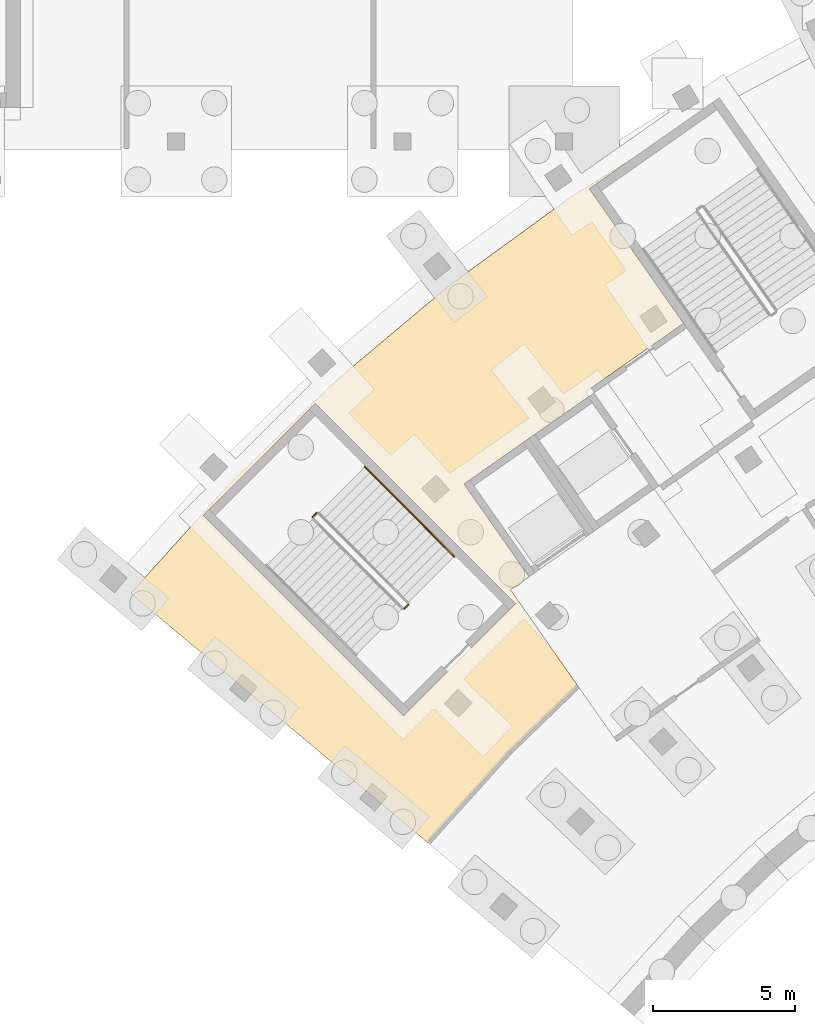
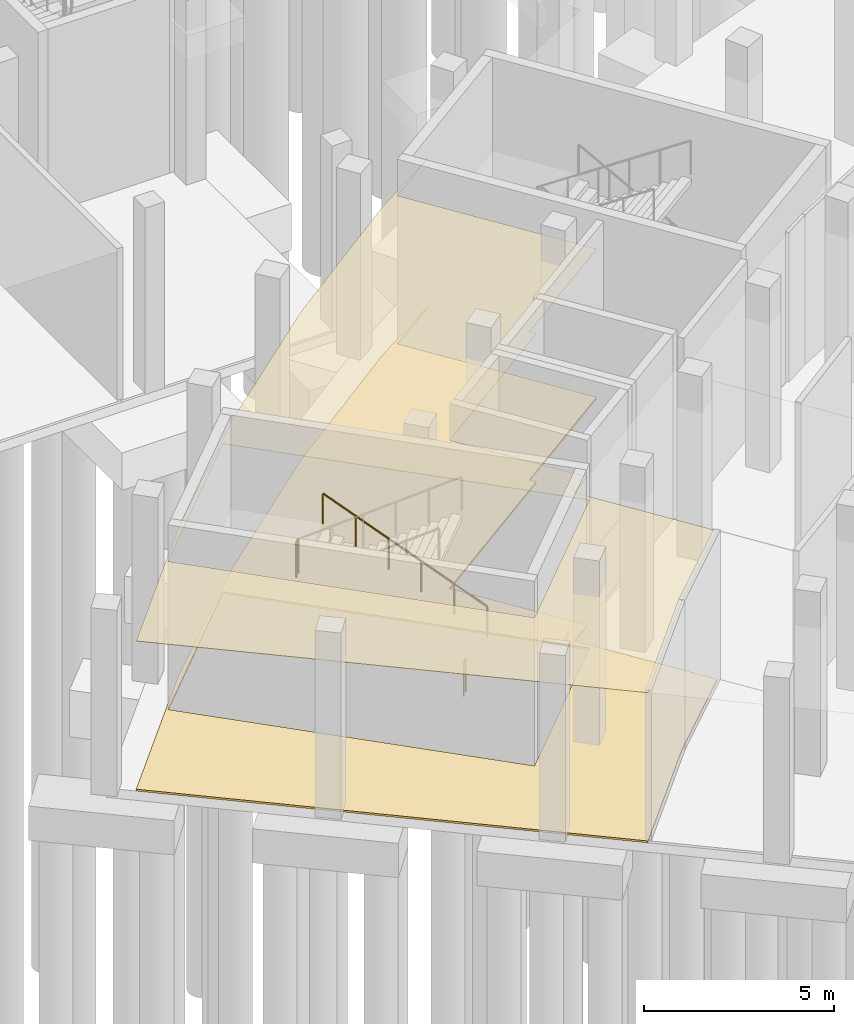
# One storey, part 36 of 66: 3 railings, 2 coverings.
"""IFC4 building model written with IfcOpenShell, lengths in metres."""

import ifcopenshell
import ifcopenshell.guid

model = None  # the IFC model being written
_history = None  # IfcOwnerHistory: only IFC2X3 demands one
_inside = {}  # id of a spatial element -> (the spatial element, [elements in it])
_under = {}  # id of a project, library or spatial element -> (it, [spatial elements below it])
_declared = {}  # id of a project -> (the project, [libraries it declares])
_typed = {}  # id of a type object -> (the type object, [elements of that type])
_made_of = {}  # id of a material, layer set ... -> (it, [elements and type objects made of it])


def new_model(schema):
    """Start an empty IFC model of exactly this schema.

    Asked for "IFC4X3", IfcOpenShell would pick the latest addendum, in which some entities
    have other attributes; the version numbers below select the first issue.
    IFC2X3 requires an IfcOwnerHistory on every rooted entity: one is made here for all.
    """
    global model, _history
    if schema == "IFC4X3":
        model = ifcopenshell.file(schema_version=(4, 3, 0, 0))
    else:
        model = ifcopenshell.file(schema=schema)
    _inside.clear()
    _under.clear()
    _declared.clear()
    _typed.clear()
    _made_of.clear()
    _history = None
    if model.schema == "IFC2X3":
        org = make("IfcOrganization", Name="unknown")
        user = make(
            "IfcPersonAndOrganization",
            ThePerson=make("IfcPerson", FamilyName="unknown"),
            TheOrganization=org,
        )
        app = make(
            "IfcApplication",
            ApplicationDeveloper=org,
            Version="unknown",
            ApplicationFullName="unknown",
            ApplicationIdentifier="unknown",
        )
        _history = make(
            "IfcOwnerHistory",
            OwningUser=user,
            OwningApplication=app,
            ChangeAction="ADDED",
            CreationDate=0,
        )
    return model


def make(cls, **values):
    """One entity of the class cls with the attributes given. An attribute that is None is left unset."""
    return model.create_entity(
        cls, **{name: value for name, value in values.items() if value is not None}
    )


def rooted(cls, **values):
    """An entity with a GlobalId (a new one), such as an element, a storey or a relation."""
    return make(cls, GlobalId=ifcopenshell.guid.new(), OwnerHistory=_history, **values)


def si_unit(unit_type, name, prefix=None):
    """IfcSIUnit, for example si_unit("LENGTHUNIT", "METRE", prefix="MILLI")."""
    return make("IfcSIUnit", UnitType=unit_type, Prefix=prefix, Name=name)


def assignment(units):
    """IfcUnitAssignment: the units of a project."""
    return None if units is None else make("IfcUnitAssignment", Units=units)


def point(xyz):
    """IfcCartesianPoint."""
    return None if xyz is None else make("IfcCartesianPoint", Coordinates=xyz)


def direction(xyz):
    """IfcDirection."""
    return None if xyz is None else make("IfcDirection", DirectionRatios=xyz)


def frame(location, z_axis=None, x_axis=None):
    """IfcAxis2Placement3D, a coordinate frame: its origin and axes. An axis left out is left unset."""
    return make(
        "IfcAxis2Placement3D",
        Location=point(location),
        Axis=direction(z_axis),
        RefDirection=direction(x_axis),
    )


def frame_2d(location, x_axis=None):
    """IfcAxis2Placement2D, a coordinate frame in the plane: its origin and x axis."""
    return make(
        "IfcAxis2Placement2D", Location=point(location), RefDirection=direction(x_axis)
    )


def origin():
    """The frame at (0, 0, 0) with its axes left unset."""
    return frame((0.0, 0.0, 0.0))


def origin_2d():
    """The frame at (0, 0) in the plane with its x axis left unset."""
    return frame_2d((0.0, 0.0))


def place(relative_to, where):
    """IfcLocalPlacement: puts the frame where relative to a parent placement (None: the world)."""
    return make(
        "IfcLocalPlacement", PlacementRelTo=relative_to, RelativePlacement=where
    )


def context(
    kind, dimensions, precision=None, world=None, true_north=None, identifier=None
):
    """IfcGeometricRepresentationContext, for example the 3D "Model" context."""
    return make(
        "IfcGeometricRepresentationContext",
        ContextIdentifier=identifier,
        ContextType=kind,
        CoordinateSpaceDimension=dimensions,
        Precision=precision,
        WorldCoordinateSystem=world,
        TrueNorth=true_north,
    )


def subcontext(parent, identifier, kind, view, scale=None):
    """IfcGeometricRepresentationSubContext, for example "Body" below "Model"."""
    return make(
        "IfcGeometricRepresentationSubContext",
        ContextIdentifier=identifier,
        ContextType=kind,
        ParentContext=parent,
        TargetScale=scale,
        TargetView=view,
    )


def project(units=None, contexts=None):
    """IfcProject with its units and contexts."""
    return rooted(
        "IfcProject",
        Name="project",
        RepresentationContexts=contexts,
        UnitsInContext=assignment(units),
    )


def spatial(cls, under=None, at=None, **own):
    """A site, building, storey or space (cls), placed at a placement, below another one or the project."""
    s = rooted(cls, ObjectPlacement=at, **own)
    if under is not None:
        _under.setdefault(under.id(), (under, []))[1].append(s)
    return s


def polyline(points):
    """IfcPolyline through the points."""
    return make("IfcPolyline", Points=[point(p) for p in points])


def profile(cls, at=None, kind="AREA", **sizes):
    """A parametric profile (cls). Its sizes go by their IFC names, for example OverallWidth=200.0."""
    return make(cls, ProfileType=kind, Position=at, **sizes)


def circle(**sizes):
    """IfcCircleProfileDef."""
    return profile("IfcCircleProfileDef", **sizes)


def outline(outer, holes=None, kind="AREA"):
    """IfcArbitraryClosedProfileDef: a profile drawn as a closed curve; with holes, ...WithVoids."""
    if holes is None:
        return make("IfcArbitraryClosedProfileDef", ProfileType=kind, OuterCurve=outer)
    return make(
        "IfcArbitraryProfileDefWithVoids",
        ProfileType=kind,
        OuterCurve=outer,
        InnerCurves=holes,
    )


def extrude(swept, where, along, depth):
    """IfcExtrudedAreaSolid: the profile swept, set in the frame where, extruded along a direction by depth."""
    return make(
        "IfcExtrudedAreaSolid",
        SweptArea=swept,
        Position=where,
        ExtrudedDirection=direction(along),
        Depth=depth,
    )


def shape(context_of_items, identifier, shape_type, items):
    """IfcShapeRepresentation: the items that make up one representation, for example the "Body"."""
    return make(
        "IfcShapeRepresentation",
        ContextOfItems=context_of_items,
        RepresentationIdentifier=identifier,
        RepresentationType=shape_type,
        Items=items,
    )


def material(Name=None, Category=None):
    """IfcMaterial."""
    return make("IfcMaterial", Name=Name, Category=Category)


def layer(
    of_material, thickness, ventilated=None, Name=None, Category=None, Priority=None
):
    """IfcMaterialLayer: one layer of a wall or slab, of a material (None: an air gap)."""
    return make(
        "IfcMaterialLayer",
        Material=of_material,
        LayerThickness=thickness,
        IsVentilated=ventilated,
        Name=Name,
        Category=Category,
        Priority=Priority,
    )


def layer_set(layers, Name=None):
    """IfcMaterialLayerSet."""
    return make("IfcMaterialLayerSet", MaterialLayers=layers, LayerSetName=Name)


def made_of(thing, what):
    """Note that an element or type object is made of a material, layer set ...; save() writes the relation."""
    if what is not None:
        _made_of.setdefault(what.id(), (what, []))[1].append(thing)
    return thing


def type_object(cls, material=None, **own):
    """A type object (cls), such as IfcWallType, which elements share."""
    return made_of(rooted(cls, **own), material)


def element(
    cls,
    number,
    at=None,
    inside=None,
    cuts=None,
    type_object=None,
    material=None,
    context=None,
    identifier="Body",
    shape_type=None,
    held_by="IfcProductDefinitionShape",
    body=None,
    shapes=None,
    **own,
):
    """One element of the class cls, such as IfcWall. Its Tag is "e" and its number.

    at: its placement. inside: the storey or other place that contains it. cuts: it is an
    opening in that element (IfcRelVoidsElement). A single representation is given by context,
    identifier, shape_type and body (its items); several are given by shapes. held_by: the class
    of the entity that holds the representations. save() writes the other relations.
    """
    e = rooted(cls, Tag="e%d" % number, ObjectPlacement=at, **own)
    if body is not None:
        shapes = [shape(context, identifier, shape_type, body)]
    if shapes is not None:
        e.Representation = make(held_by, Representations=shapes)
    if inside is not None:
        _inside.setdefault(inside.id(), (inside, []))[1].append(e)
    if cuts is not None:
        rooted(
            "IfcRelVoidsElement", RelatingBuildingElement=cuts, RelatedOpeningElement=e
        )
    if type_object is not None:
        _typed.setdefault(type_object.id(), (type_object, []))[1].append(e)
    return made_of(e, material)


def aggregate(whole, parts):
    """IfcRelAggregates: a whole, such as a stair, and the parts it consists of."""
    return rooted("IfcRelAggregates", RelatingObject=whole, RelatedObjects=parts)


def save(model, path):
    """Write the relations noted so far, then the file.

    IfcRelAggregates (storeys below a building ...), IfcRelContainedInSpatialStructure (elements
    in a storey), IfcRelDefinesByType, IfcRelAssociatesMaterial and IfcRelDeclares: one each for
    every whole, place, type object, material and project.
    """
    for whole, parts in _under.values():
        aggregate(whole, parts)
    for where, things in _inside.values():
        rooted(
            "IfcRelContainedInSpatialStructure",
            RelatedElements=things,
            RelatingStructure=where,
        )
    for kind, things in _typed.values():
        rooted("IfcRelDefinesByType", RelatedObjects=things, RelatingType=kind)
    for what, things in _made_of.values():
        rooted("IfcRelAssociatesMaterial", RelatedObjects=things, RelatingMaterial=what)
    for by, libraries in _declared.values():
        rooted("IfcRelDeclares", RelatingContext=by, RelatedDefinitions=libraries)
    model.write(path)


model = new_model("IFC4")

# Units and contexts
model_context = context("Model", 3, precision=1e-05, world=origin(), true_north=direction((0.0, 1.0)))
body_context = subcontext(model_context, "Body", "Model", "MODEL_VIEW")
ifc_project = project(units=[si_unit("LENGTHUNIT", "METRE"), si_unit("AREAUNIT", "SQUARE_METRE"), si_unit("VOLUMEUNIT", "CUBIC_METRE"), si_unit("PLANEANGLEUNIT", "RADIAN"), si_unit("MASSUNIT", "GRAM", prefix="KILO")], contexts=[model_context])

# Site, building, storey
site_placement = place(None, origin())
site = spatial("IfcSite", under=ifc_project, at=site_placement, CompositionType="ELEMENT")
building_placement = place(site_placement, origin())
building = spatial("IfcBuilding", under=site, at=building_placement, Name="Lunette Opera House", CompositionType="ELEMENT")
storey_placement = place(building_placement, frame((0.0, 0.0, -6.0)))
storey = spatial("IfcBuildingStorey", under=building, at=storey_placement, Name="B1", CompositionType="ELEMENT", Elevation=-6.0)

# Railings
ifc_material_1 = material(Name="Steel S355", Category="steel")
railing_type_1 = type_object("IfcRailingType", Name="STAIR GUARD 1100", PredefinedType="GUARDRAIL", material=ifc_material_1)
for number, where, name in (
    (1, (44.96142578125, 51.18017578125, 3.0), "B1 ST1 stair guard 2"),
    (2, (48.199951171875, 47.941650390625, 0.0), "B1 ST1 stair guard 4"),
):
    element("IfcRailing", number, at=place(storey_placement, frame(where)), inside=storey, type_object=railing_type_1, Name=name, PredefinedType="GUARDRAIL", context=body_context, shape_type="SweptSolid", body=[
        extrude(circle(Radius=0.02392578125, at=origin_2d()), frame((0.0, 0.0, 1.076171875), z_axis=(-0.707106781187, -0.707106781187, 0.0), x_axis=(0.707106781187, -0.707106781187, 0.0)), (0.0, 0.0, 1.0), 0.2001953125),
        extrude(circle(Radius=0.02099609375, at=origin_2d()), origin(), (0.0, 0.0, 1.0), 1.052001953125),
        extrude(circle(Radius=0.02099609375, at=origin_2d()), frame((-0.1416015625, -0.1416015625, 0.0)), (0.0, 0.0, 1.0), 1.052001953125),
    ])
ifc_material_2 = material(Name="Steel S355", Category="steel")
railing_type_2 = type_object("IfcRailingType", Name="STAIR HANDRAIL 1000", PredefinedType="HANDRAIL", material=ifc_material_2)
railing_placement = place(storey_placement, frame((49.826416015625, 49.638671875, 0.176513671875)))
element("IfcRailing", 3, at=railing_placement, inside=storey, type_object=railing_type_2, Name="B1 ST1 stair handrail 1", PredefinedType="HANDRAIL", context=body_context, shape_type="SweptSolid", body=[
    extrude(circle(Radius=0.02392578125, at=origin_2d()), frame((0.0, 0.0, 0.97607421875), z_axis=(-0.598218619036, 0.598218619036, 0.533168798485), x_axis=(-0.707106781187, -0.707106781187, 0.0)), (0.0, 0.0, 1.0), 5.295654296875),
    extrude(circle(Radius=0.02099609375, at=origin_2d()), origin(), (0.0, 0.0, 1.0), 0.951904296875),
    extrude(circle(Radius=0.02099609375, at=origin_2d()), frame((-0.633544921875, 0.633544921875, 0.564697265625)), (0.0, 0.0, 1.0), 0.951904296875),
    extrude(circle(Radius=0.02099609375, at=origin_2d()), frame((-1.26708984375, 1.26708984375, 1.12939453125)), (0.0, 0.0, 1.0), 0.951904296875),
    extrude(circle(Radius=0.02099609375, at=origin_2d()), frame((-1.90087890625, 1.90087890625, 1.694091796875)), (0.0, 0.0, 1.0), 0.951904296875),
    extrude(circle(Radius=0.02099609375, at=origin_2d()), frame((-2.534423828125, 2.534423828125, 2.2587890625)), (0.0, 0.0, 1.0), 0.951904296875),
    extrude(circle(Radius=0.02099609375, at=origin_2d()), frame((-3.16796875, 3.16796875, 2.823486328125)), (0.0, 0.0, 1.0), 0.951904296875),
])

# Coverings
ifc_material_3 = material(Name="Mineral fibre board")
ifc_layer_1 = layer(ifc_material_3, 0.014892578125)
ifc_layer_set_1 = layer_set([ifc_layer_1], Name="Mineral fibre board")
covering_type_1 = type_object("IfcCoveringType", Name="SUSPENDED ACOUSTIC CEILING 15", PredefinedType="CEILING", material=ifc_layer_set_1)
covering_1_placement = place(storey_placement, frame((0.0, 0.0, 4.81494140625)))
element("IfcCovering", 4, at=covering_1_placement, inside=storey, type_object=covering_type_1, Name="Ceiling Lower Foyer Rear", PredefinedType="CEILING", context=body_context, shape_type="SweptSolid", body=[
    extrude(outline(polyline([(51.80810546875, 48.468017578125), (54.18896484375, 45.06689453125), (51.760986328125, 42.720947265625), (48.887939453125, 39.531005859375), (46.972900390625, 41.137939453125), (38.39404296875, 48.337890625), (41.906005859375, 52.238037109375), (45.680908203125, 55.884033203125), (49.701904296875, 59.258056640625), (53.948974609375, 62.343994140625), (56.18603515625, 63.741943359375), (54.591064453125, 62.625), (57.91796875, 57.8740234375), (54.47705078125, 55.464111328125), (54.592041015625, 55.300048828125), (52.462890625, 53.80908203125), (50.1689453125, 52.202880859375), (52.462890625, 48.927001953125), (51.80810546875, 48.468017578125)]), holes=[polyline([(48.02294921875, 44.01708984375), (51.98291015625, 47.97705078125), (44.912109375, 55.048095703125), (40.951904296875, 51.087890625), (48.02294921875, 44.01708984375)])]), origin(), (0.0, 0.0, 1.0), 0.01513671875),
])
ifc_material_4 = material(Name="Terrazzo")
ifc_layer_2 = layer(ifc_material_4, 0.06005859375)
ifc_layer_set_2 = layer_set([ifc_layer_2], Name="Terrazzo")
covering_type_2 = type_object("IfcCoveringType", Name="TERRAZZO FLOOR FINISH 60", PredefinedType="FLOORING", material=ifc_layer_set_2)
covering_2_placement = place(storey_placement, origin())
element("IfcCovering", 5, at=covering_2_placement, inside=storey, type_object=covering_type_2, Name="Floor finish Lower Foyer Rear", PredefinedType="FLOORING", context=body_context, shape_type="SweptSolid", body=[
    extrude(outline(polyline([(51.80810546875, 48.468017578125), (54.18896484375, 45.06689453125), (51.760986328125, 42.720947265625), (48.887939453125, 39.531005859375), (46.972900390625, 41.137939453125), (38.39404296875, 48.337890625), (41.906005859375, 52.238037109375), (45.680908203125, 55.884033203125), (49.701904296875, 59.258056640625), (53.948974609375, 62.343994140625), (56.18603515625, 63.741943359375), (54.591064453125, 62.625), (57.91796875, 57.8740234375), (54.47705078125, 55.464111328125), (54.592041015625, 55.300048828125), (52.462890625, 53.80908203125), (50.1689453125, 52.202880859375), (52.462890625, 48.927001953125), (51.80810546875, 48.468017578125)]), holes=[polyline([(48.02294921875, 44.01708984375), (51.98291015625, 47.97705078125), (44.912109375, 55.048095703125), (40.951904296875, 51.087890625), (48.02294921875, 44.01708984375)])]), origin(), (0.0, 0.0, 1.0), 0.06005859375),
])

save(model, "model.ifc")
